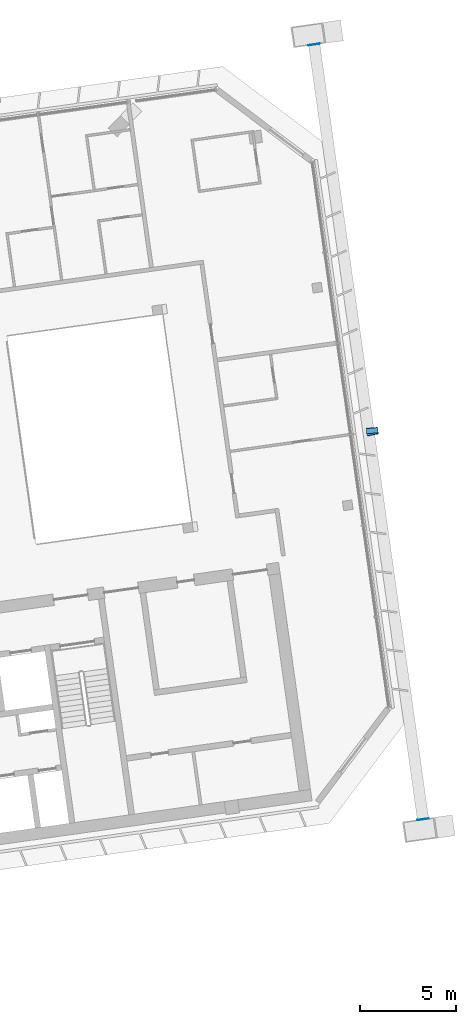
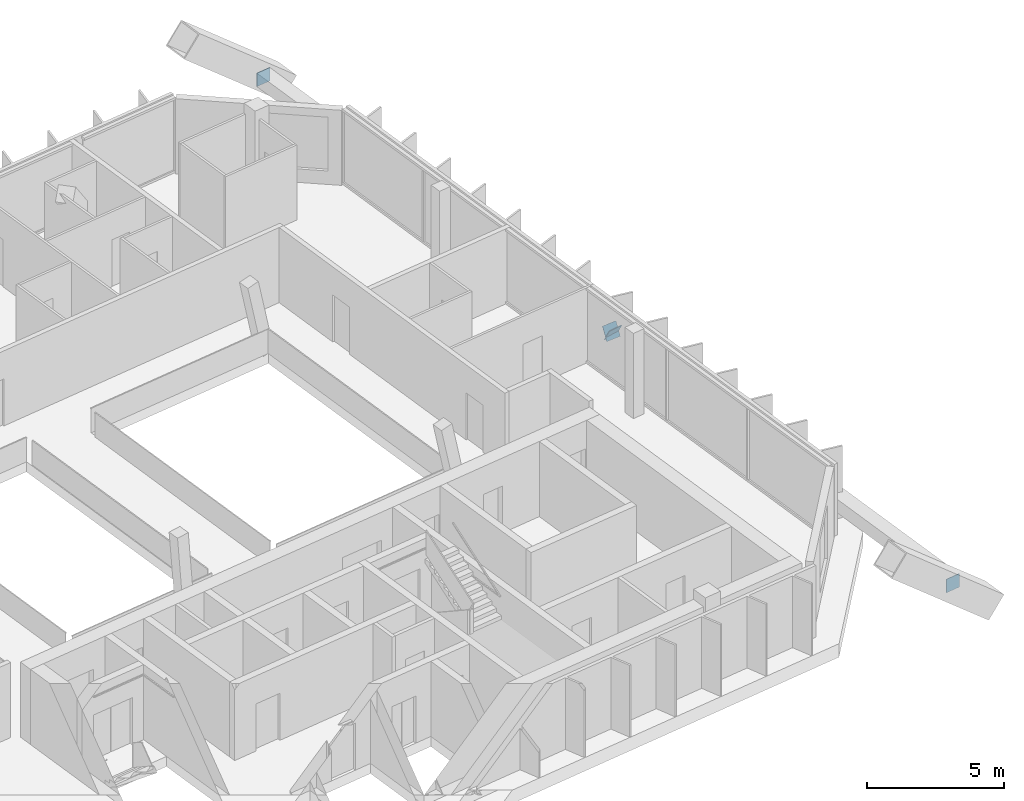
# One storey, part 23 of 25: 4 discrete accessories.
"""IFC4 building model written with IfcOpenShell, lengths in metres."""

import ifcopenshell
import ifcopenshell.guid

model = None  # the IFC model being written
_history = None  # IfcOwnerHistory: only IFC2X3 demands one
_inside = {}  # id of a spatial element -> (the spatial element, [elements in it])
_under = {}  # id of a project, library or spatial element -> (it, [spatial elements below it])
_declared = {}  # id of a project -> (the project, [libraries it declares])
_typed = {}  # id of a type object -> (the type object, [elements of that type])
_made_of = {}  # id of a material, layer set ... -> (it, [elements and type objects made of it])


def new_model(schema):
    """Start an empty IFC model of exactly this schema.

    Asked for "IFC4X3", IfcOpenShell would pick the latest addendum, in which some entities
    have other attributes; the version numbers below select the first issue.
    IFC2X3 requires an IfcOwnerHistory on every rooted entity: one is made here for all.
    """
    global model, _history
    if schema == "IFC4X3":
        model = ifcopenshell.file(schema_version=(4, 3, 0, 0))
    else:
        model = ifcopenshell.file(schema=schema)
    _inside.clear()
    _under.clear()
    _declared.clear()
    _typed.clear()
    _made_of.clear()
    _history = None
    if model.schema == "IFC2X3":
        org = make("IfcOrganization", Name="unknown")
        user = make(
            "IfcPersonAndOrganization",
            ThePerson=make("IfcPerson", FamilyName="unknown"),
            TheOrganization=org,
        )
        app = make(
            "IfcApplication",
            ApplicationDeveloper=org,
            Version="unknown",
            ApplicationFullName="unknown",
            ApplicationIdentifier="unknown",
        )
        _history = make(
            "IfcOwnerHistory",
            OwningUser=user,
            OwningApplication=app,
            ChangeAction="ADDED",
            CreationDate=0,
        )
    return model


def make(cls, **values):
    """One entity of the class cls with the attributes given. An attribute that is None is left unset."""
    return model.create_entity(
        cls, **{name: value for name, value in values.items() if value is not None}
    )


def rooted(cls, **values):
    """An entity with a GlobalId (a new one), such as an element, a storey or a relation."""
    return make(cls, GlobalId=ifcopenshell.guid.new(), OwnerHistory=_history, **values)


def si_unit(unit_type, name, prefix=None):
    """IfcSIUnit, for example si_unit("LENGTHUNIT", "METRE", prefix="MILLI")."""
    return make("IfcSIUnit", UnitType=unit_type, Prefix=prefix, Name=name)


def assignment(units):
    """IfcUnitAssignment: the units of a project."""
    return None if units is None else make("IfcUnitAssignment", Units=units)


def point(xyz):
    """IfcCartesianPoint."""
    return None if xyz is None else make("IfcCartesianPoint", Coordinates=xyz)


def direction(xyz):
    """IfcDirection."""
    return None if xyz is None else make("IfcDirection", DirectionRatios=xyz)


def frame(location, z_axis=None, x_axis=None):
    """IfcAxis2Placement3D, a coordinate frame: its origin and axes. An axis left out is left unset."""
    return make(
        "IfcAxis2Placement3D",
        Location=point(location),
        Axis=direction(z_axis),
        RefDirection=direction(x_axis),
    )


def frame_2d(location, x_axis=None):
    """IfcAxis2Placement2D, a coordinate frame in the plane: its origin and x axis."""
    return make(
        "IfcAxis2Placement2D", Location=point(location), RefDirection=direction(x_axis)
    )


def origin():
    """The frame at (0, 0, 0) with its axes left unset."""
    return frame((0.0, 0.0, 0.0))


def origin_2d():
    """The frame at (0, 0) in the plane with its x axis left unset."""
    return frame_2d((0.0, 0.0))


def place(relative_to, where):
    """IfcLocalPlacement: puts the frame where relative to a parent placement (None: the world)."""
    return make(
        "IfcLocalPlacement", PlacementRelTo=relative_to, RelativePlacement=where
    )


def context(
    kind, dimensions, precision=None, world=None, true_north=None, identifier=None
):
    """IfcGeometricRepresentationContext, for example the 3D "Model" context."""
    return make(
        "IfcGeometricRepresentationContext",
        ContextIdentifier=identifier,
        ContextType=kind,
        CoordinateSpaceDimension=dimensions,
        Precision=precision,
        WorldCoordinateSystem=world,
        TrueNorth=true_north,
    )


def subcontext(parent, identifier, kind, view, scale=None):
    """IfcGeometricRepresentationSubContext, for example "Body" below "Model"."""
    return make(
        "IfcGeometricRepresentationSubContext",
        ContextIdentifier=identifier,
        ContextType=kind,
        ParentContext=parent,
        TargetScale=scale,
        TargetView=view,
    )


def project(units=None, contexts=None):
    """IfcProject with its units and contexts."""
    return rooted(
        "IfcProject",
        Name="project",
        RepresentationContexts=contexts,
        UnitsInContext=assignment(units),
    )


def spatial(cls, under=None, at=None, **own):
    """A site, building, storey or space (cls), placed at a placement, below another one or the project."""
    s = rooted(cls, ObjectPlacement=at, **own)
    if under is not None:
        _under.setdefault(under.id(), (under, []))[1].append(s)
    return s


def profile(cls, at=None, kind="AREA", **sizes):
    """A parametric profile (cls). Its sizes go by their IFC names, for example OverallWidth=200.0."""
    return make(cls, ProfileType=kind, Position=at, **sizes)


def rectangle(**sizes):
    """IfcRectangleProfileDef."""
    return profile("IfcRectangleProfileDef", **sizes)


def extrude(swept, where, along, depth):
    """IfcExtrudedAreaSolid: the profile swept, set in the frame where, extruded along a direction by depth."""
    return make(
        "IfcExtrudedAreaSolid",
        SweptArea=swept,
        Position=where,
        ExtrudedDirection=direction(along),
        Depth=depth,
    )


def shape(context_of_items, identifier, shape_type, items):
    """IfcShapeRepresentation: the items that make up one representation, for example the "Body"."""
    return make(
        "IfcShapeRepresentation",
        ContextOfItems=context_of_items,
        RepresentationIdentifier=identifier,
        RepresentationType=shape_type,
        Items=items,
    )


def material(Name=None, Category=None):
    """IfcMaterial."""
    return make("IfcMaterial", Name=Name, Category=Category)


def material_profile(
    of_material, cross_section, Name=None, Category=None, Priority=None
):
    """IfcMaterialProfile: a cross section and its material."""
    return make(
        "IfcMaterialProfile",
        Name=Name,
        Material=of_material,
        Profile=cross_section,
        Priority=Priority,
        Category=Category,
    )


def profile_set(profiles, Name=None, composite=None):
    """IfcMaterialProfileSet."""
    return make(
        "IfcMaterialProfileSet",
        Name=Name,
        MaterialProfiles=profiles,
        CompositeProfile=composite,
    )


def made_of(thing, what):
    """Note that an element or type object is made of a material, layer set ...; save() writes the relation."""
    if what is not None:
        _made_of.setdefault(what.id(), (what, []))[1].append(thing)
    return thing


def type_object(cls, material=None, **own):
    """A type object (cls), such as IfcWallType, which elements share."""
    return made_of(rooted(cls, **own), material)


def element(
    cls,
    number,
    at=None,
    inside=None,
    cuts=None,
    type_object=None,
    material=None,
    context=None,
    identifier="Body",
    shape_type=None,
    held_by="IfcProductDefinitionShape",
    body=None,
    shapes=None,
    **own,
):
    """One element of the class cls, such as IfcWall. Its Tag is "e" and its number.

    at: its placement. inside: the storey or other place that contains it. cuts: it is an
    opening in that element (IfcRelVoidsElement). A single representation is given by context,
    identifier, shape_type and body (its items); several are given by shapes. held_by: the class
    of the entity that holds the representations. save() writes the other relations.
    """
    e = rooted(cls, Tag="e%d" % number, ObjectPlacement=at, **own)
    if body is not None:
        shapes = [shape(context, identifier, shape_type, body)]
    if shapes is not None:
        e.Representation = make(held_by, Representations=shapes)
    if inside is not None:
        _inside.setdefault(inside.id(), (inside, []))[1].append(e)
    if cuts is not None:
        rooted(
            "IfcRelVoidsElement", RelatingBuildingElement=cuts, RelatedOpeningElement=e
        )
    if type_object is not None:
        _typed.setdefault(type_object.id(), (type_object, []))[1].append(e)
    return made_of(e, material)


def aggregate(whole, parts):
    """IfcRelAggregates: a whole, such as a stair, and the parts it consists of."""
    return rooted("IfcRelAggregates", RelatingObject=whole, RelatedObjects=parts)


def save(model, path):
    """Write the relations noted so far, then the file.

    IfcRelAggregates (storeys below a building ...), IfcRelContainedInSpatialStructure (elements
    in a storey), IfcRelDefinesByType, IfcRelAssociatesMaterial and IfcRelDeclares: one each for
    every whole, place, type object, material and project.
    """
    for whole, parts in _under.values():
        aggregate(whole, parts)
    for where, things in _inside.values():
        rooted(
            "IfcRelContainedInSpatialStructure",
            RelatedElements=things,
            RelatingStructure=where,
        )
    for kind, things in _typed.values():
        rooted("IfcRelDefinesByType", RelatedObjects=things, RelatingType=kind)
    for what, things in _made_of.values():
        rooted("IfcRelAssociatesMaterial", RelatedObjects=things, RelatingMaterial=what)
    for by, libraries in _declared.values():
        rooted("IfcRelDeclares", RelatingContext=by, RelatedDefinitions=libraries)
    model.write(path)


model = new_model("IFC4")

# Units and contexts
model_context = context("Model", 3, precision=1e-05, world=origin(), true_north=direction((0.0, 1.0)))
body_context = subcontext(model_context, "Body", "Model", "MODEL_VIEW")
ifc_project = project(units=[si_unit("LENGTHUNIT", "METRE"), si_unit("AREAUNIT", "SQUARE_METRE"), si_unit("VOLUMEUNIT", "CUBIC_METRE"), si_unit("PLANEANGLEUNIT", "RADIAN"), si_unit("MASSUNIT", "GRAM", prefix="KILO")], contexts=[model_context])

# Site, building, storey
site_placement = place(None, origin())
site = spatial("IfcSite", under=ifc_project, at=site_placement, CompositionType="ELEMENT")
building_placement = place(site_placement, origin())
building = spatial("IfcBuilding", under=site, at=building_placement, Name="Mirante Cascada Hotel Towers", CompositionType="ELEMENT")
storey_placement = place(building_placement, frame((0.0, 0.0, 247.0)))
storey = spatial("IfcBuildingStorey", under=building, at=storey_placement, Name="L59", CompositionType="ELEMENT", Elevation=247.0)

# Discrete accessories
ifc_material = material(Name="Steel ASTM A572 Gr 50", Category="steel")
ifc_material_profile = material_profile(ifc_material, rectangle(XDim=0.6, YDim=0.6, at=origin_2d()), Name="Connection plate 600x600x25 ASTM A572 Gr 50")
ifc_profile_set = profile_set([ifc_material_profile], Name="Steel ASTM A572 Gr 50")
discrete_accessory_type = type_object("IfcDiscreteAccessoryType", Name="Connection plate 600x600x25 ASTM A572 Gr 50", PredefinedType="BRACKET", material=ifc_profile_set)
discrete_accessory_1_placement = place(storey_placement, frame((66.6616, 3.0908, 0.8279), z_axis=(-0.1640919, 0.8724887, 0.4602578), x_axis=(-0.98277, -0.1848329, 0.0)))
element("IfcDiscreteAccessory", 1, at=discrete_accessory_1_placement, inside=storey, type_object=discrete_accessory_type, Name="Connection plate MB-OL56L", PredefinedType="BRACKET", context=body_context, shape_type="SweptSolid", body=[
    extrude(rectangle(XDim=0.6, YDim=0.6, at=origin_2d()), origin(), (0.0, 0.0, 1.0), 0.025),
])
discrete_accessory_2_placement = place(storey_placement, frame((66.6446, 3.2118, 0.8279), z_axis=(0.0797395, -0.8851086, 0.4585022), x_axis=(0.9959664, 0.0897267, 0.0)))
element("IfcDiscreteAccessory", 2, at=discrete_accessory_2_placement, inside=storey, type_object=discrete_accessory_type, Name="Connection plate MB-OL56R", PredefinedType="BRACKET", context=body_context, shape_type="SweptSolid", body=[
    extrude(rectangle(XDim=0.6, YDim=0.6, at=origin_2d()), origin(), (0.0, 0.0, 1.0), 0.0251),
])
discrete_accessory_3_placement = place(storey_placement, frame((69.3081, -17.1594, 1.0), z_axis=(-0.1397442, 0.9901876, 0.0), x_axis=(-0.9901876, -0.1397442, 0.0)))
element("IfcDiscreteAccessory", 3, at=discrete_accessory_3_placement, inside=storey, type_object=discrete_accessory_type, Name="Connection plate NCH", PredefinedType="BRACKET", context=body_context, shape_type="SweptSolid", body=[
    extrude(rectangle(XDim=0.6, YDim=0.6, at=origin_2d()), origin(), (0.0, 0.0, 1.0), 0.025),
])
discrete_accessory_4_placement = place(storey_placement, frame((63.6104, 23.3822, 1.0), z_axis=(-0.1402989, 0.9901092, 0.0), x_axis=(-0.9901092, -0.1402989, 0.0)))
element("IfcDiscreteAccessory", 4, at=discrete_accessory_4_placement, inside=storey, type_object=discrete_accessory_type, Name="Connection plate NCH", PredefinedType="BRACKET", context=body_context, shape_type="SweptSolid", body=[
    extrude(rectangle(XDim=0.6, YDim=0.6, at=origin_2d()), origin(), (0.0, 0.0, 1.0), 0.0249),
])

save(model, "model.ifc")
